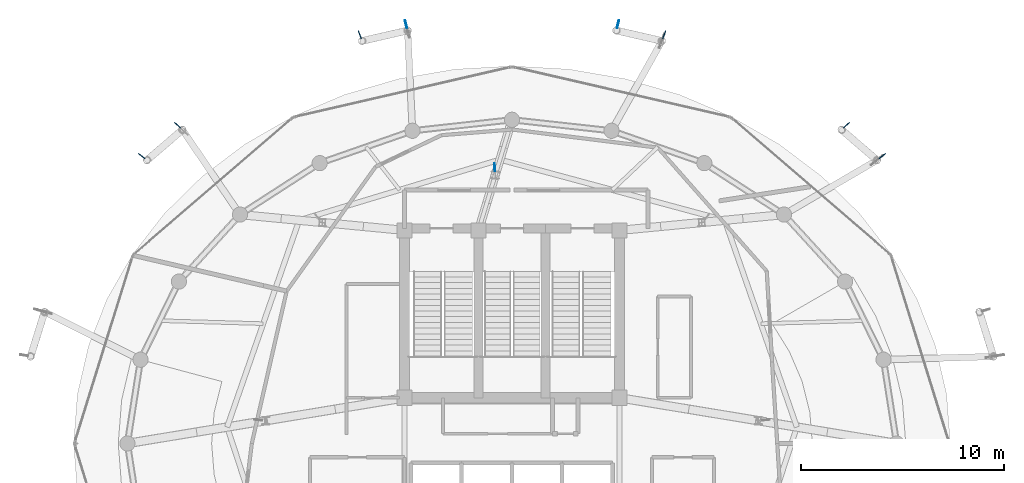
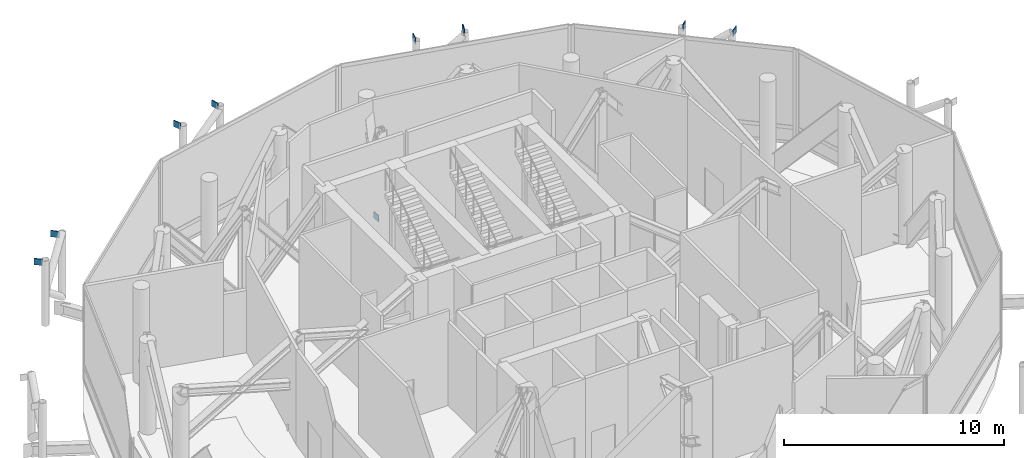
# One storey, part 24 of 26: 9 discrete accessories.
"""IFC4 building model written with IfcOpenShell, lengths in metres."""

from ifc_helpers import new_model, si_unit, direction, frame, origin, origin_2d, place, context, subcontext, project, spatial, rectangle, extrude, material, type_object, element, save


model = new_model("IFC4")

# Units and contexts
model_context = context("Model", 3, precision=1e-05, world=origin(), true_north=direction((0.0, 1.0)))
body_context = subcontext(model_context, "Body", "Model", "MODEL_VIEW")
ifc_project = project(units=[si_unit("LENGTHUNIT", "METRE"), si_unit("AREAUNIT", "SQUARE_METRE"), si_unit("VOLUMEUNIT", "CUBIC_METRE"), si_unit("PLANEANGLEUNIT", "RADIAN"), si_unit("MASSUNIT", "GRAM", prefix="KILO")], contexts=[model_context])

# Site, building, storey
site_placement = place(None, origin())
site = spatial("IfcSite", under=ifc_project, at=site_placement, CompositionType="ELEMENT")
building_placement = place(site_placement, origin())
building = spatial("IfcBuilding", under=site, at=building_placement, Name="Nuhasar Tower", CompositionType="ELEMENT")
storey_placement = place(building_placement, frame((0.0, 0.0, 301.199951171875)))
storey = spatial("IfcBuildingStorey", under=building, at=storey_placement, Name="L75", CompositionType="ELEMENT", Elevation=301.199951171875)

# Discrete accessories
ifc_material = material(Name="Steel S460", Category="steel")
discrete_accessory_type = type_object("IfcDiscreteAccessoryType", Name="ACC-GUS-40", PredefinedType="USERDEFINED", material=ifc_material)
for number, where, z_axis, x_axis, name in (
    (1, (57.242919921875, 40.958984375, 3.25), (0.0, 0.0, 1.0), (0.789983825631, 0.613127682657, 0.0), "L75 Exoskeleton Chord Column EC-02A Gusset Plate"),
    (2, (55.47705078125, 42.48291015625, 3.25), (0.0, 0.0, 1.0), (0.724352378593, 0.689429932355, 0.0), "L75 Exoskeleton Chord Column EC-02B Gusset Plate"),
    (3, (46.498046875, 46.93994140625, 3.449951171875), (0.0, 0.0, 1.0), (0.348915555693, 0.937154168211, 0.0), "L75 Exoskeleton Chord Column EC-03A Gusset Plate"),
    (4, (44.222900390625, 47.467041015625, 3.449951171875), (0.0, 0.0, 1.0), (0.245036656105, 0.96951381484, 0.0), "L75 Exoskeleton Chord Column EC-03B Gusset Plate"),
    (5, (33.777099609375, 47.467041015625, 3.449951171875), (0.0, 0.0, 1.0), (-0.245036656105, 0.96951381484, 0.0), "L75 Exoskeleton Chord Column EC-04A Gusset Plate"),
    (6, (31.501953125, 46.93994140625, 3.449951171875), (0.0, 0.0, 1.0), (-0.348915555693, 0.937154168211, 0.0), "L75 Exoskeleton Chord Column EC-04B Gusset Plate"),
    (7, (22.52294921875, 42.48291015625, 3.25), (0.0, 0.0, 1.0), (-0.724352378593, 0.689429932355, 0.0), "L75 Exoskeleton Chord Column EC-05A Gusset Plate"),
    (8, (20.757080078125, 40.958984375, 3.25), (0.0, 0.0, 1.0), (-0.789983825631, 0.613127682657, 0.0), "L75 Exoskeleton Chord Column EC-05B Gusset Plate"),
    (9, (38.15087890625, 40.404052734375, 0.0), (0.0, 0.0, 1.0), (-0.062267945373, 0.998059468659, 0.0), "L75 Outrigger Truss Post 06 Gusset Plate"),
):
    element("IfcDiscreteAccessory", number, at=place(storey_placement, frame(where, z_axis=z_axis, x_axis=x_axis)), inside=storey, type_object=discrete_accessory_type, Name=name, ObjectType="STEEL_GUSSET_PLATE", PredefinedType="USERDEFINED", context=body_context, shape_type="SweptSolid", body=[
        extrude(rectangle(XDim=0.39990234375, YDim=0.0400390625, at=origin_2d()), origin(), (0.0, 0.0, 1.0), 0.35009765625),
    ])

save(model, "model.ifc")
